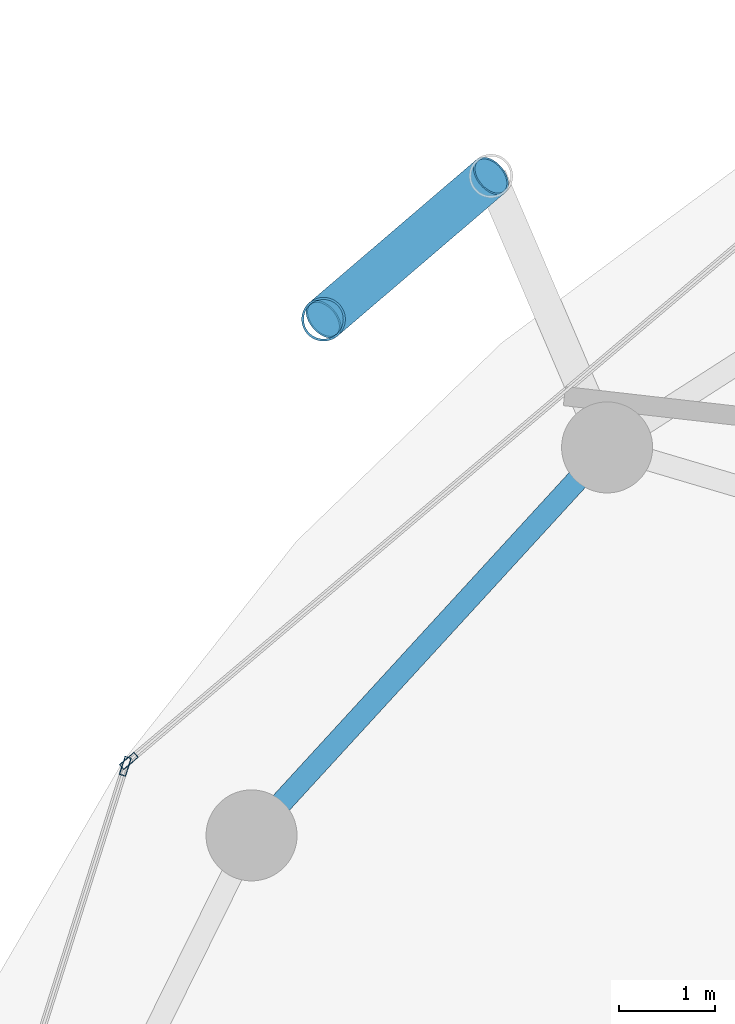
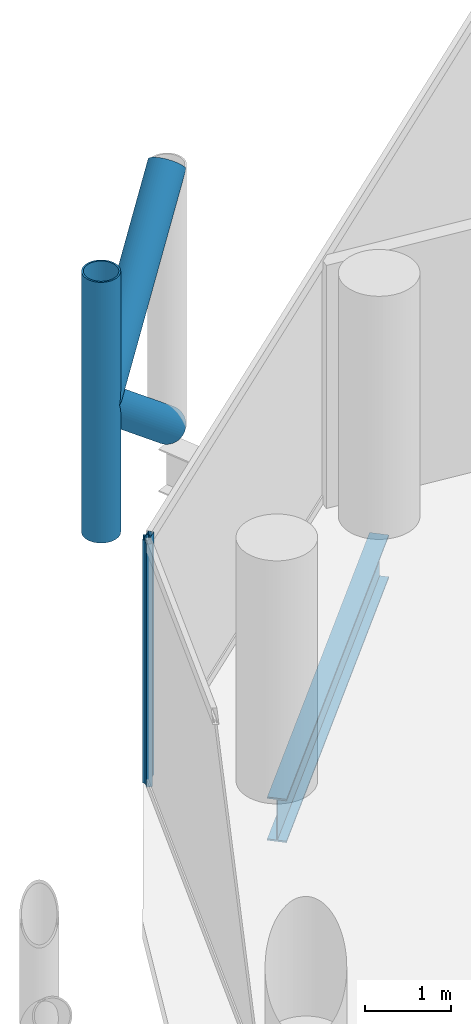
# One storey, part 13 of 27: 5 members, 1 beam, 2 elements without a shape of their own.
"""IFC4 building model written with IfcOpenShell, lengths in metres."""

from ifc_helpers import new_model, si_unit, direction, frame, origin, origin_2d, place, context, subcontext, project, spatial, hollow_rectangle, hollow_circle, i_section, extrude, material, layer, layer_set, material_profile, profile_set, type_object, element, aggregate, save


model = new_model("IFC4")

# Units and contexts
model_context = context("Model", 3, precision=1e-05, world=origin(), true_north=direction((0.0, 1.0)))
body_context = subcontext(model_context, "Body", "Model", "MODEL_VIEW")
ifc_project = project(units=[si_unit("LENGTHUNIT", "METRE"), si_unit("AREAUNIT", "SQUARE_METRE"), si_unit("VOLUMEUNIT", "CUBIC_METRE"), si_unit("PLANEANGLEUNIT", "RADIAN"), si_unit("MASSUNIT", "GRAM", prefix="KILO")], contexts=[model_context])

# Site, building, storey
site_placement = place(None, origin())
site = spatial("IfcSite", under=ifc_project, at=site_placement, CompositionType="ELEMENT")
building_placement = place(site_placement, origin())
building = spatial("IfcBuilding", under=site, at=building_placement, Name="Nuhasar Tower", CompositionType="ELEMENT")
storey_placement = place(building_placement, frame((0.0, 0.0, 158.949951171875)))
storey = spatial("IfcBuildingStorey", under=building, at=storey_placement, Name="L38", CompositionType="ELEMENT", Elevation=158.949951171875)

# Beam
ifc_material_1 = material(Name="Steel S355", Category="steel")
ifc_material_profile_1 = material_profile(ifc_material_1, i_section(OverallWidth=0.22998046875, OverallDepth=0.616943359375, WebThickness=0.01318359375, FlangeThickness=0.022216796875, at=origin_2d()), Name="W24X94")
ifc_profile_set_1 = profile_set([ifc_material_profile_1], Name="Steel S355")
beam_type = type_object("IfcBeamType", Name="BM-RING-W24X94", PredefinedType="SPANDREL", material=ifc_profile_set_1)
beam_placement = place(storey_placement, frame((22.489013671875, 40.6240234375, -0.558837890625), z_axis=(-0.675654174897, -0.737218716491, 0.0), x_axis=(0.737218716491, -0.675654174897, 0.0)))
element("IfcBeam", 1, at=beam_placement, inside=storey, type_object=beam_type, Name="L38 Perimeter Ring Spandrel 10", PredefinedType="SPANDREL", context=body_context, shape_type="SweptSolid", body=[
    extrude(i_section(OverallWidth=0.22998046875, OverallDepth=0.616943359375, WebThickness=0.01318359375, FlangeThickness=0.022216796875, at=origin_2d()), origin(), (0.0, 0.0, 1.0), 5.492431640625),
])

# Curtain wall, member
ifc_material_2 = material(Name="Aluminium 6063-T6", Category="aluminium")
ifc_layer = layer(ifc_material_2, 0.199951171875)
ifc_layer_set = layer_set([ifc_layer], Name="Aluminium 6063-T6")
curtain_wall_type = type_object("IfcCurtainWallType", Name="CW-Z2-HTL", PredefinedType="NOTDEFINED", material=ifc_layer_set)
curtain_wall_1_placement = place(storey_placement, origin())
curtain_wall_1 = element("IfcCurtainWall", 2, at=curtain_wall_1_placement, inside=storey, type_object=curtain_wall_type, Name="L38 Unitised Curtain Wall 05", PredefinedType="NOTDEFINED")
ifc_material_profile_2 = material_profile(ifc_material_2, hollow_rectangle(XDim=0.070068359375, YDim=0.199951171875, WallThickness=0.0048828125, at=origin_2d()), Name="CWM-3")
ifc_profile_set_2 = profile_set([ifc_material_profile_2], Name="Aluminium 6063-T6")
member_type_1 = type_object("IfcMemberType", Name="CW-MUL-S3", PredefinedType="MULLION", material=ifc_profile_set_2)
member_1_placement = place(storey_placement, frame((17.497802734375, 37.3525390625, 0.0), z_axis=(0.0, 0.0, 1.0), x_axis=(0.646374438324, -0.763020370292, 0.0)))
member_1 = element("IfcMember", 3, at=member_1_placement, type_object=member_type_1, Name="CW-Z2 mullion 2", PredefinedType="MULLION", context=body_context, shape_type="SweptSolid", body=[
    extrude(hollow_rectangle(XDim=0.070068359375, YDim=0.199951171875, WallThickness=0.0048828125, at=origin_2d()), origin(), (0.0, 0.0, 1.0), 3.449951171875),
])
aggregate(curtain_wall_1, [member_1])

curtain_wall_2_placement = place(storey_placement, origin())
curtain_wall_2 = element("IfcCurtainWall", 4, at=curtain_wall_2_placement, inside=storey, type_object=curtain_wall_type, Name="L38 Unitised Curtain Wall 06", PredefinedType="NOTDEFINED")
member_2_placement = place(storey_placement, frame((17.46044921875, 37.296630859375, 0.0), z_axis=(0.0, 0.0, 1.0), x_axis=(0.953433389233, -0.301603667577, 0.0)))
member_2 = element("IfcMember", 5, at=member_2_placement, type_object=member_type_1, Name="CW-Z2 mullion 1", PredefinedType="MULLION", context=body_context, shape_type="SweptSolid", body=[
    extrude(hollow_rectangle(XDim=0.070068359375, YDim=0.199951171875, WallThickness=0.0048828125, at=origin_2d()), origin(), (0.0, 0.0, 1.0), 3.449951171875),
])
aggregate(curtain_wall_2, [member_2])

# Members
ifc_material_3 = material(Name="Steel S460", Category="steel")
ifc_material_profile_3 = material_profile(ifc_material_3, hollow_circle(Radius=0.228515625, WallThickness=0.022216796875, at=origin_2d()), Name="HSS457X22.2")
ifc_profile_set_3 = profile_set([ifc_material_profile_3], Name="Steel S460")
member_type_2 = type_object("IfcMemberType", Name="EXO-BRONZE-457", PredefinedType="BRACE", material=ifc_profile_set_3)
member_3_placement = place(storey_placement, frame((19.529052734375, 41.9619140625, 0.0), z_axis=(0.0, 0.0, 1.0), x_axis=(1.0, 0.0, 0.0)))
element("IfcMember", 6, at=member_3_placement, inside=storey, type_object=member_type_2, Name="L38 Exoskeleton Chord Column EC-05B", PredefinedType="BRACE", context=body_context, shape_type="SweptSolid", body=[
    extrude(hollow_circle(Radius=0.228515625, WallThickness=0.022216796875, at=origin_2d()), origin(), (0.0, 0.0, 1.0), 3.699951171875),
])
member_4_placement = place(storey_placement, frame((21.277099609375, 43.45703125, 0.0), z_axis=(-0.592170370358, -0.506487618445, 0.626741210415), x_axis=(0.649986859795, -0.759945446788, 0.0)))
element("IfcMember", 7, at=member_4_placement, inside=storey, type_object=member_type_2, Name="L38 Bronze Diagrid Brace W1-05", PredefinedType="BRACE", context=body_context, shape_type="SweptSolid", body=[
    extrude(hollow_circle(Radius=0.228515625, WallThickness=0.022216796875, at=origin_2d()), origin(), (0.0, 0.0, 1.0), 2.951904296875),
])
member_5_placement = place(storey_placement, frame((19.529052734375, 41.9619140625, 1.85009765625), z_axis=(0.592201065785, 0.506513872468, 0.626690988192), x_axis=(-0.649986859795, 0.759945446788, 0.0)))
element("IfcMember", 8, at=member_5_placement, inside=storey, type_object=member_type_2, Name="L38 Bronze Diagrid Brace W2-05", PredefinedType="BRACE", context=body_context, shape_type="SweptSolid", body=[
    extrude(hollow_circle(Radius=0.228515625, WallThickness=0.022216796875, at=origin_2d()), origin(), (0.0, 0.0, 1.0), 2.95166015625),
])

save(model, "model.ifc")
